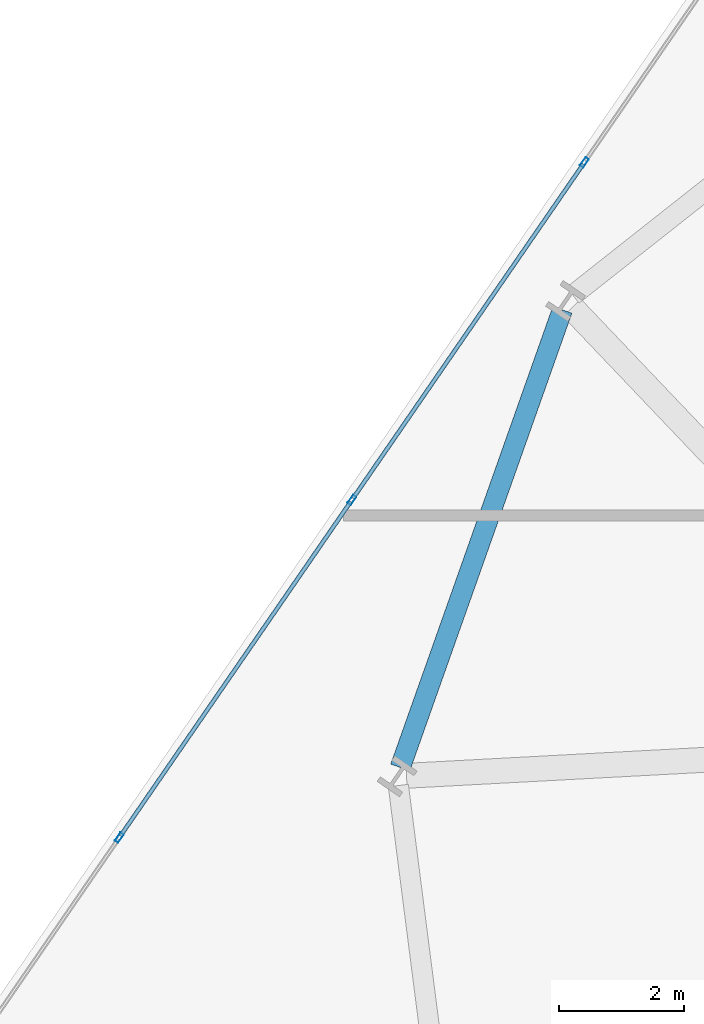
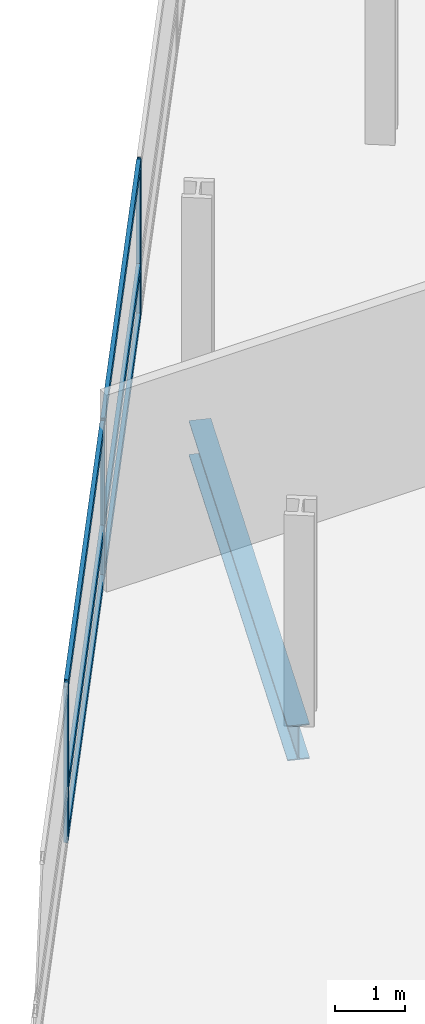
# One storey, part 4 of 25: 9 members, 1 beam, 1 element without a shape of its own.
"""IFC4 building model written with IfcOpenShell, lengths in metres."""

from ifc_helpers import new_model, si_unit, direction, frame, origin, origin_2d, place, context, subcontext, project, spatial, hollow_rectangle, i_section, extrude, material, layer, layer_set, material_profile, profile_set, type_object, element, aggregate, save


model = new_model("IFC4")

# Units and contexts
model_context = context("Model", 3, precision=1e-05, world=origin(), true_north=direction((0.0, 1.0)))
body_context = subcontext(model_context, "Body", "Model", "MODEL_VIEW")
ifc_project = project(units=[si_unit("LENGTHUNIT", "METRE"), si_unit("AREAUNIT", "SQUARE_METRE"), si_unit("VOLUMEUNIT", "CUBIC_METRE"), si_unit("PLANEANGLEUNIT", "RADIAN"), si_unit("MASSUNIT", "GRAM", prefix="KILO")], contexts=[model_context])

# Site, building, storey
site_placement = place(None, origin())
site = spatial("IfcSite", under=ifc_project, at=site_placement, CompositionType="ELEMENT")
building_placement = place(site_placement, origin())
building = spatial("IfcBuilding", under=site, at=building_placement, Name="Varnelok Gate Tower", CompositionType="ELEMENT")
storey_placement = place(building_placement, frame((0.0, 0.0, 64.0)))
storey = spatial("IfcBuildingStorey", under=building, at=storey_placement, Name="L15", CompositionType="ELEMENT", Elevation=64.0)

# Beam
ifc_material_1 = material(Name="Structural Steel ASTM A992 Grade 50", Category="steel")
ifc_material_profile_1 = material_profile(ifc_material_1, i_section(OverallWidth=0.323974609375, OverallDepth=0.611083984375, WebThickness=0.0126953125, FlangeThickness=0.01904296875, FilletRadius=0.01806640625, at=origin_2d()), Name="W24X104")
ifc_profile_set_1 = profile_set([ifc_material_profile_1], Name="Structural Steel ASTM A992 Grade 50")
beam_type = type_object("IfcBeamType", Name="BM-SPN-W24X104", PredefinedType="SPANDREL", material=ifc_profile_set_1)
beam_placement = place(storey_placement, frame((6.679931640625, 45.09619140625, -0.555419921875), z_axis=(-0.333877359029, -0.942616522838, 0.0), x_axis=(0.942616522838, -0.333877359029, 0.0)))
element("IfcBeam", 1, at=beam_placement, inside=storey, type_object=beam_type, Name="L15 Perimeter Spandrel Beam 15", PredefinedType="SPANDREL", context=body_context, shape_type="SweptSolid", body=[
    extrude(i_section(OverallWidth=0.323974609375, OverallDepth=0.611083984375, WebThickness=0.0126953125, FlangeThickness=0.01904296875, FilletRadius=0.01806640625, at=origin_2d()), origin(), (0.0, 0.0, 1.0), 7.77734375),
])

# Curtain wall, members
ifc_material_2 = material(Name="Anodized Aluminum Alloy 6063-T6", Category="aluminium")
ifc_layer = layer(ifc_material_2, 0.179931640625)
ifc_layer_set = layer_set([ifc_layer], Name="Anodized Aluminum Alloy 6063-T6")
curtain_wall_type = type_object("IfcCurtainWallType", Name="CW3-HOTEL-VISION", PredefinedType="USERDEFINED", material=ifc_layer_set)
curtain_wall_placement = place(storey_placement, origin())
curtain_wall = element("IfcCurtainWall", 2, at=curtain_wall_placement, inside=storey, type_object=curtain_wall_type, Name="L15 West End Vision Curtain Wall", ObjectType="UNITISED CURTAIN WALL", PredefinedType="USERDEFINED")
ifc_material_profile_2 = material_profile(ifc_material_2, hollow_rectangle(XDim=0.06494140625, YDim=0.159912109375, WallThickness=0.00390625, at=origin_2d()), Name="ALU160X65X4")
ifc_profile_set_2 = profile_set([ifc_material_profile_2], Name="Anodized Aluminum Alloy 6063-T6")
member_type_1 = type_object("IfcMemberType", Name="CW-MULL-160", PredefinedType="MULLION", material=ifc_profile_set_2)
member_1_placement = place(storey_placement, frame((-0.417236328125, 36.641845703125, 0.0), z_axis=(0.0, 0.0, 1.0), x_axis=(-0.823532685111, 0.567268822124, 0.0)))
member_1 = element("IfcMember", 3, at=member_1_placement, type_object=member_type_1, Name="CW3 mullion 2", PredefinedType="MULLION", context=body_context, shape_type="SweptSolid", body=[
    extrude(hollow_rectangle(XDim=0.06494140625, YDim=0.159912109375, WallThickness=0.00390625, at=origin_2d()), origin(), (0.0, 0.0, 1.0), 2.72998046875),
])
member_2_placement = place(storey_placement, frame((3.3076171875, 42.049560546875, 0.0), z_axis=(0.0, 0.0, 1.0), x_axis=(-0.823532685111, 0.567268822124, 0.0)))
member_2 = element("IfcMember", 4, at=member_2_placement, type_object=member_type_1, Name="CW3 mullion 3", PredefinedType="MULLION", context=body_context, shape_type="SweptSolid", body=[
    extrude(hollow_rectangle(XDim=0.06494140625, YDim=0.159912109375, WallThickness=0.00390625, at=origin_2d()), origin(), (0.0, 0.0, 1.0), 2.72998046875),
])
member_3_placement = place(storey_placement, frame((7.03271484375, 47.45751953125, 0.0), z_axis=(0.0, 0.0, 1.0), x_axis=(-0.823532685111, 0.567268822124, 0.0)))
member_3 = element("IfcMember", 5, at=member_3_placement, type_object=member_type_1, Name="CW3 mullion 4", PredefinedType="MULLION", context=body_context, shape_type="SweptSolid", body=[
    extrude(hollow_rectangle(XDim=0.06494140625, YDim=0.159912109375, WallThickness=0.00390625, at=origin_2d()), origin(), (0.0, 0.0, 1.0), 2.72998046875),
])
ifc_material_profile_3 = material_profile(ifc_material_2, hollow_rectangle(XDim=0.06494140625, YDim=0.159912109375, WallThickness=0.00390625, at=origin_2d()), Name="ALU160X65X4")
ifc_profile_set_3 = profile_set([ifc_material_profile_3], Name="Anodized Aluminum Alloy 6063-T6")
member_type_2 = type_object("IfcMemberType", Name="CW-TRAN-160", PredefinedType="USERDEFINED", material=ifc_profile_set_3)
member_4_placement = place(storey_placement, frame((-0.39892578125, 36.66845703125, 0.032470703125), z_axis=(0.567261662339, 0.823537616894, 0.0), x_axis=(-0.823537616894, 0.567261662339, 0.0)))
member_4 = element("IfcMember", 6, at=member_4_placement, type_object=member_type_2, Name="CW3 transom 2.1", ObjectType="TRANSOM", PredefinedType="USERDEFINED", context=body_context, shape_type="SweptSolid", body=[
    extrude(hollow_rectangle(XDim=0.06494140625, YDim=0.159912109375, WallThickness=0.00390625, at=origin_2d()), origin(), (0.0, 0.0, 1.0), 6.501708984375),
])
member_5_placement = place(storey_placement, frame((-0.39892578125, 36.66845703125, 0.89990234375), z_axis=(0.567261662339, 0.823537616894, 0.0), x_axis=(-0.823537616894, 0.567261662339, 0.0)))
member_5 = element("IfcMember", 7, at=member_5_placement, type_object=member_type_2, Name="CW3 transom 2.2", ObjectType="TRANSOM", PredefinedType="USERDEFINED", context=body_context, shape_type="SweptSolid", body=[
    extrude(hollow_rectangle(XDim=0.06494140625, YDim=0.159912109375, WallThickness=0.00390625, at=origin_2d()), origin(), (0.0, 0.0, 1.0), 6.501708984375),
])
member_6_placement = place(storey_placement, frame((-0.39892578125, 36.66845703125, 2.697509765625), z_axis=(0.567261662339, 0.823537616894, 0.0), x_axis=(-0.823537616894, 0.567261662339, 0.0)))
member_6 = element("IfcMember", 8, at=member_6_placement, type_object=member_type_2, Name="CW3 transom 2.3", ObjectType="TRANSOM", PredefinedType="USERDEFINED", context=body_context, shape_type="SweptSolid", body=[
    extrude(hollow_rectangle(XDim=0.06494140625, YDim=0.159912109375, WallThickness=0.00390625, at=origin_2d()), origin(), (0.0, 0.0, 1.0), 6.501708984375),
])
member_7_placement = place(storey_placement, frame((3.326171875, 42.076416015625, 0.032470703125), z_axis=(0.567279204469, 0.823525533409, 0.0), x_axis=(-0.823525533409, 0.567279204469, 0.0)))
member_7 = element("IfcMember", 9, at=member_7_placement, type_object=member_type_2, Name="CW3 transom 3.1", ObjectType="TRANSOM", PredefinedType="USERDEFINED", context=body_context, shape_type="SweptSolid", body=[
    extrude(hollow_rectangle(XDim=0.06494140625, YDim=0.159912109375, WallThickness=0.00390625, at=origin_2d()), origin(), (0.0, 0.0, 1.0), 6.501708984375),
])
member_8_placement = place(storey_placement, frame((3.326171875, 42.076416015625, 0.89990234375), z_axis=(0.567279204469, 0.823525533409, 0.0), x_axis=(-0.823525533409, 0.567279204469, 0.0)))
member_8 = element("IfcMember", 10, at=member_8_placement, type_object=member_type_2, Name="CW3 transom 3.2", ObjectType="TRANSOM", PredefinedType="USERDEFINED", context=body_context, shape_type="SweptSolid", body=[
    extrude(hollow_rectangle(XDim=0.06494140625, YDim=0.159912109375, WallThickness=0.00390625, at=origin_2d()), origin(), (0.0, 0.0, 1.0), 6.501708984375),
])
member_9_placement = place(storey_placement, frame((3.326171875, 42.076416015625, 2.697509765625), z_axis=(0.567279204469, 0.823525533409, 0.0), x_axis=(-0.823525533409, 0.567279204469, 0.0)))
member_9 = element("IfcMember", 11, at=member_9_placement, type_object=member_type_2, Name="CW3 transom 3.3", ObjectType="TRANSOM", PredefinedType="USERDEFINED", context=body_context, shape_type="SweptSolid", body=[
    extrude(hollow_rectangle(XDim=0.06494140625, YDim=0.159912109375, WallThickness=0.00390625, at=origin_2d()), origin(), (0.0, 0.0, 1.0), 6.501708984375),
])
aggregate(curtain_wall, [member_1, member_2, member_3, member_4, member_5, member_6, member_7, member_8, member_9])

save(model, "model.ifc")
